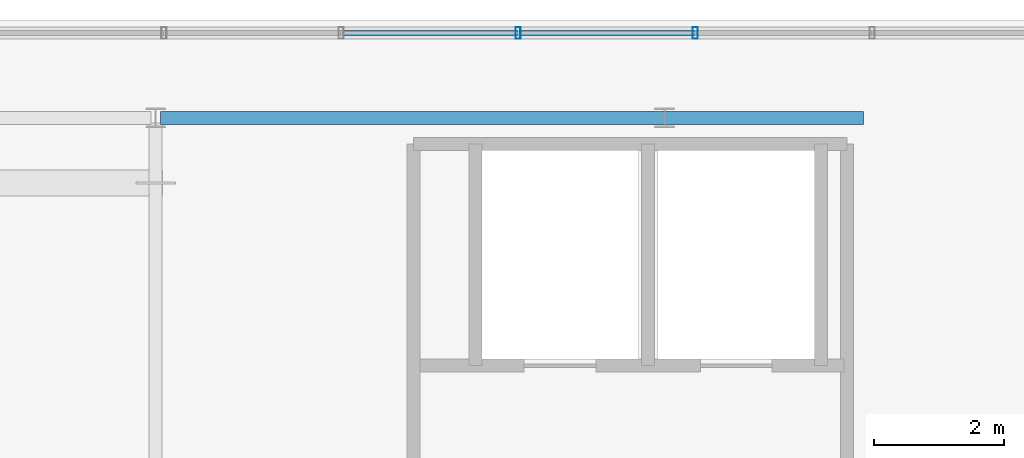
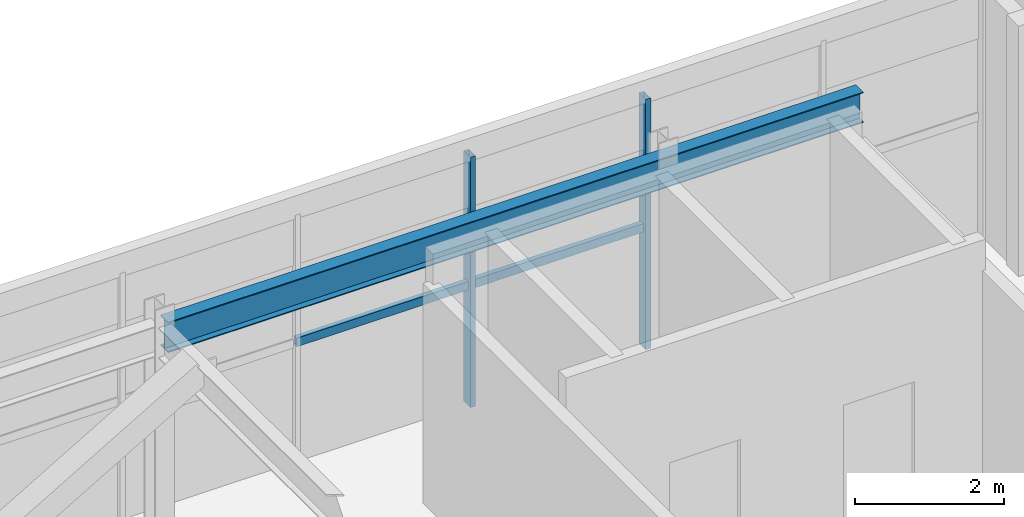
# One storey, part 11 of 31: 4 members, 1 beam, 1 element without a shape of its own.
"""IFC4 building model written with IfcOpenShell, lengths in metres."""

from ifc_helpers import new_model, si_unit, direction, frame, origin, origin_2d, place, context, subcontext, project, spatial, hollow_rectangle, i_section, extrude, source, transform, mapped, material, material_profile, profile_set, type_object, element, aggregate, save


model = new_model("IFC4")

# Units and contexts
model_context = context("Model", 3, precision=1e-05, world=origin(), true_north=direction((0.0, 1.0)))
body_context = subcontext(model_context, "Body", "Model", "MODEL_VIEW")
ifc_project = project(units=[si_unit("LENGTHUNIT", "METRE"), si_unit("AREAUNIT", "SQUARE_METRE"), si_unit("VOLUMEUNIT", "CUBIC_METRE"), si_unit("PLANEANGLEUNIT", "RADIAN"), si_unit("MASSUNIT", "GRAM", prefix="KILO")], contexts=[model_context])

# Site, building, storey
site_placement = place(None, origin())
site = spatial("IfcSite", under=ifc_project, at=site_placement, CompositionType="ELEMENT")
building_placement = place(site_placement, origin())
building = spatial("IfcBuilding", under=site, at=building_placement, Name="Trelvane Seafront Commons", CompositionType="ELEMENT")
storey_placement = place(building_placement, frame((0.0, 0.0, 307.89990234375)))
storey = spatial("IfcBuildingStorey", under=building, at=storey_placement, Name="L80", CompositionType="ELEMENT", Elevation=307.89990234375)

# Beam
ifc_material_1 = material(Name="Steel SM355 (S355)", Category="steel")
ifc_material_profile_1 = material_profile(ifc_material_1, i_section(OverallWidth=0.199951171875, OverallDepth=0.5, WebThickness=0.010009765625, FlangeThickness=0.01611328125, at=origin_2d()), Name="H-500x200x10x16")
ifc_profile_set_1 = profile_set([ifc_material_profile_1], Name="Steel SM355 (S355)")
beam_type = type_object("IfcBeamType", Name="STR-CROWN-FRAME-RING", PredefinedType="SPANDREL", material=ifc_profile_set_1)
shared_shape_1 = source(origin(), body_context, "Body", "SweptSolid", [
    extrude(i_section(OverallWidth=0.199951171875, OverallDepth=0.5, WebThickness=0.010009765625, FlangeThickness=0.01611328125, at=origin_2d()), origin(), (0.0, 0.0, 1.0), 10.77490234375),
])
beam_placement = place(storey_placement, frame((15.675048828125, 45.10009765625, 3.85009765625), z_axis=(1.0, 0.0, 0.0), x_axis=(0.0, 1.0, 0.0)))
element("IfcBeam", 1, at=beam_placement, inside=storey, type_object=beam_type, Name="L80 CROWN FRAME Ring Beam G-16", PredefinedType="SPANDREL", context=body_context, shape_type="MappedRepresentation", body=[
    mapped(shared_shape_1, transform((0.0, 0.0, 0.0), x_axis=(1.0, 0.0, 0.0), y_axis=(0.0, 1.0, 0.0), z_axis=(0.0, 0.0, 1.0), scale=1.0)),
])

# Curtain wall, members
ifc_material_2 = material(Name="Anodised pale-silver aluminium", Category="aluminium")
curtain_wall_type = type_object("IfcCurtainWallType", Name="ARCH-CW6-CROWN", PredefinedType="NOTDEFINED", material=ifc_material_2)
curtain_wall_placement = place(storey_placement, origin())
curtain_wall = element("IfcCurtainWall", 2, at=curtain_wall_placement, inside=storey, type_object=curtain_wall_type, Name="CW-L80-0137", PredefinedType="NOTDEFINED")
ifc_material_profile_2 = material_profile(ifc_material_2, hollow_rectangle(XDim=0.080078125, YDim=0.179931640625, WallThickness=0.00439453125, at=origin_2d()), Name="MULL-80x180x4.5")
ifc_profile_set_2 = profile_set([ifc_material_profile_2], Name="Anodised pale-silver aluminium")
member_type_1 = type_object("IfcMemberType", Name="ARCH-CW-MULL-180", PredefinedType="MULLION", material=ifc_profile_set_2)
shared_shape_2 = source(origin(), body_context, "Body", "SweptSolid", [
    extrude(hollow_rectangle(XDim=0.080078125, YDim=0.179931640625, WallThickness=0.00439453125, at=origin_2d()), origin(), (0.0, 0.0, 1.0), 4.10009765625),
])
member_1_placement = place(storey_placement, frame((21.156982421875, 46.39990234375, 0.0), z_axis=(0.0, 0.0, 1.0), x_axis=(1.0, 0.0, 0.0)))
member_1 = element("IfcMember", 3, at=member_1_placement, type_object=member_type_1, Name="CW-L80-0137-M04", PredefinedType="MULLION", context=body_context, shape_type="MappedRepresentation", body=[
    mapped(shared_shape_2, transform((0.0, 0.0, 0.0), x_axis=(1.0, 0.0, 0.0), y_axis=(0.0, 1.0, 0.0), z_axis=(0.0, 0.0, 1.0), scale=1.0)),
])
member_2_placement = place(storey_placement, frame((23.871337890625, 46.39990234375, 0.0), z_axis=(0.0, 0.0, 1.0), x_axis=(1.0, 0.0, 0.0)))
member_2 = element("IfcMember", 4, at=member_2_placement, type_object=member_type_1, Name="CW-L80-0137-M05", PredefinedType="MULLION", context=body_context, shape_type="MappedRepresentation", body=[
    mapped(shared_shape_2, transform((0.0, 0.0, 0.0), x_axis=(1.0, 0.0, 0.0), y_axis=(0.0, 1.0, 0.0), z_axis=(0.0, 0.0, 1.0), scale=1.0)),
])
ifc_material_profile_3 = material_profile(ifc_material_2, hollow_rectangle(XDim=0.074951171875, YDim=0.139892578125, WallThickness=0.00390625, at=origin_2d()), Name="TRAN-75x140x4")
ifc_profile_set_3 = profile_set([ifc_material_profile_3], Name="Anodised pale-silver aluminium")
member_type_2 = type_object("IfcMemberType", Name="ARCH-CW-TRAN-140", PredefinedType="USERDEFINED", material=ifc_profile_set_3)
shared_shape_3 = source(origin(), body_context, "Body", "SweptSolid", [
    extrude(hollow_rectangle(XDim=0.074951171875, YDim=0.139892578125, WallThickness=0.00390625, at=origin_2d()), origin(), (0.0, 0.0, 1.0), 2.690185546875),
])
member_3_placement = place(storey_placement, frame((18.454833984375, 46.39990234375, 1.968017578125), z_axis=(1.0, 0.0, 0.0), x_axis=(0.0, 1.0, 0.0)))
member_3 = element("IfcMember", 5, at=member_3_placement, type_object=member_type_2, Name="CW-L80-0137-T03", ObjectType="TRANSOM", PredefinedType="USERDEFINED", context=body_context, shape_type="MappedRepresentation", body=[
    mapped(shared_shape_3, transform((0.0, 0.0, 0.0), x_axis=(1.0, 0.0, 0.0), y_axis=(0.0, 1.0, 0.0), z_axis=(0.0, 0.0, 1.0), scale=1.0)),
])
member_4_placement = place(storey_placement, frame((21.169189453125, 46.39990234375, 1.968017578125), z_axis=(1.0, 0.0, 0.0), x_axis=(0.0, 1.0, 0.0)))
member_4 = element("IfcMember", 6, at=member_4_placement, type_object=member_type_2, Name="CW-L80-0137-T04", ObjectType="TRANSOM", PredefinedType="USERDEFINED", context=body_context, shape_type="MappedRepresentation", body=[
    mapped(shared_shape_3, transform((0.0, 0.0, 0.0), x_axis=(1.0, 0.0, 0.0), y_axis=(0.0, 1.0, 0.0), z_axis=(0.0, 0.0, 1.0), scale=1.0)),
])
aggregate(curtain_wall, [member_1, member_2, member_3, member_4])

save(model, "model.ifc")
